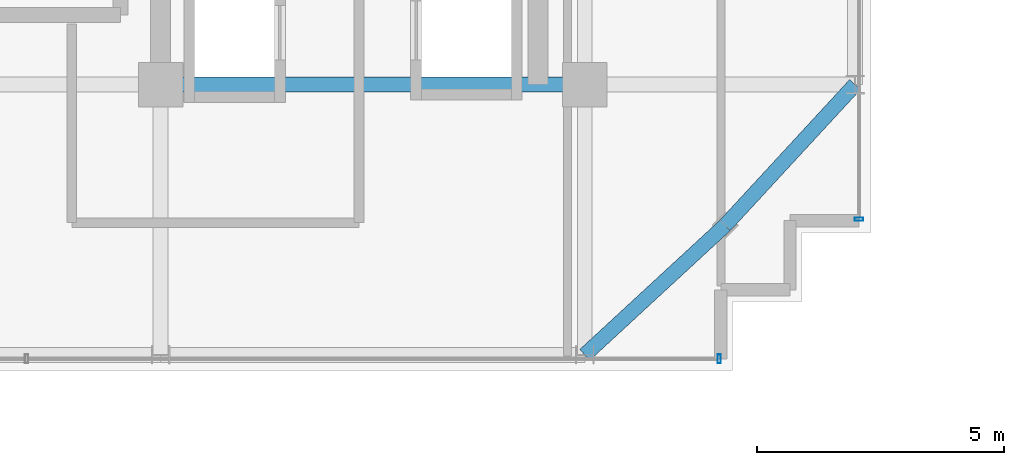
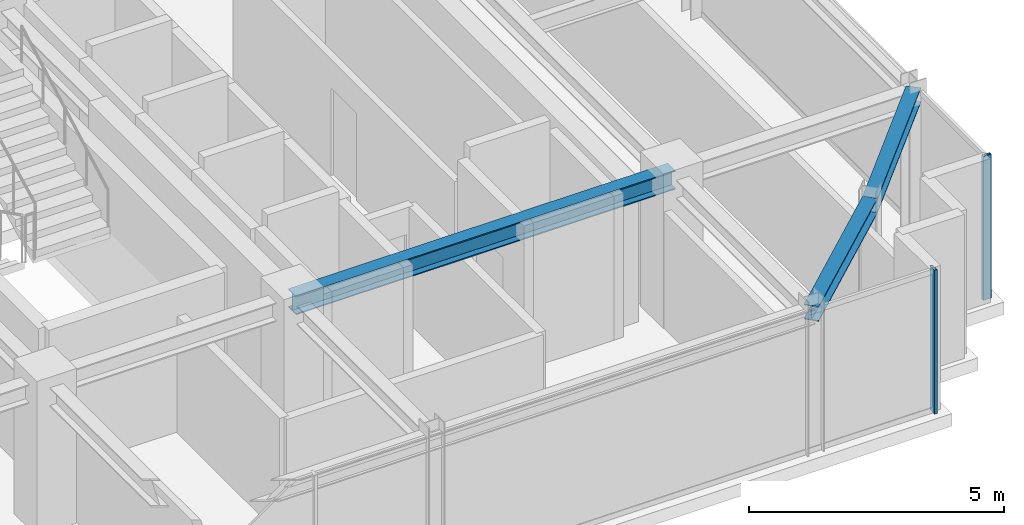
# One storey, part 11 of 32: 3 beams, 2 members, 2 elements without a shape of their own.
"""IFC4 building model written with IfcOpenShell, lengths in metres."""

from ifc_helpers import new_model, si_unit, direction, frame, origin, origin_2d, place, context, subcontext, project, spatial, hollow_rectangle, i_section, extrude, source, transform, mapped, material, material_profile, profile_set, type_object, element, aggregate, save


model = new_model("IFC4")

# Units and contexts
model_context = context("Model", 3, precision=1e-05, world=origin(), true_north=direction((0.0, 1.0)))
body_context = subcontext(model_context, "Body", "Model", "MODEL_VIEW")
ifc_project = project(units=[si_unit("LENGTHUNIT", "METRE"), si_unit("AREAUNIT", "SQUARE_METRE"), si_unit("VOLUMEUNIT", "CUBIC_METRE"), si_unit("PLANEANGLEUNIT", "RADIAN"), si_unit("MASSUNIT", "GRAM", prefix="KILO")], contexts=[model_context])

# Site, building, storey
site_placement = place(None, origin())
site = spatial("IfcSite", under=ifc_project, at=site_placement, CompositionType="ELEMENT")
building_placement = place(site_placement, origin())
building = spatial("IfcBuilding", under=site, at=building_placement, Name="Nahalor Promenade Grand Hotel", CompositionType="ELEMENT")
storey_placement = place(building_placement, frame((0.0, 0.0, 285.050048828125)))
storey = spatial("IfcBuildingStorey", under=building, at=storey_placement, Name="L73", CompositionType="ELEMENT", Elevation=285.050048828125)

# Beams
ifc_material_1 = material(Name="Steel S355JR", Category="steel")
ifc_material_profile_1 = material_profile(ifc_material_1, i_section(OverallWidth=0.3, OverallDepth=0.45, WebThickness=0.014, FlangeThickness=0.026, at=origin_2d()), Name="HEB 450")
ifc_profile_set_1 = profile_set([ifc_material_profile_1], Name="Steel S355JR")
beam_type_1 = type_object("IfcBeamType", Name="Beam-Girder-HEB450", PredefinedType="BEAM", material=ifc_profile_set_1)
shared_shape_1 = source(origin(), body_context, "Body", "SweptSolid", [
    extrude(i_section(OverallWidth=0.3, OverallDepth=0.45, WebThickness=0.014, FlangeThickness=0.026, at=origin_2d()), origin(), (0.0, 0.0, 1.0), 8.60009765625),
])
beam_placement = place(storey_placement, frame((8.39990234375, -17.0, 3.224853515625), z_axis=(1.0, 0.0, 0.0), x_axis=(0.0, 1.0, 0.0)))
element("IfcBeam", 1, at=beam_placement, inside=storey, type_object=beam_type_1, Name="BM-L73-GX-0-5", PredefinedType="BEAM", context=body_context, shape_type="MappedRepresentation", body=[
    mapped(shared_shape_1, transform((0.0, 0.0, 0.0), scale=1.0)),
])
ifc_material_profile_2 = material_profile(ifc_material_1, i_section(OverallWidth=0.3, OverallDepth=0.36, WebThickness=0.0125, FlangeThickness=0.0225, at=origin_2d()), Name="HEB 360")
ifc_profile_set_2 = profile_set([ifc_material_profile_2], Name="Steel S355JR")
beam_type_2 = type_object("IfcBeamType", Name="Beam-Spandrel-HEB360", PredefinedType="SPANDREL", material=ifc_profile_set_2)
shared_shape_2 = source(origin(), body_context, "Body", "SweptSolid", [
    extrude(i_section(OverallWidth=0.3, OverallDepth=0.36, WebThickness=0.0125, FlangeThickness=0.0225, at=origin_2d()), origin(), (0.0, 0.0, 1.0), 3.878173828125),
])
for number, where, z_axis, x_axis, name in (
    (2, (17.0, -22.47998046875, 3.27001953125), (0.73492893846, 0.678144125843, 0.0), (-0.678144125843, 0.73492893846, 0.0), "BM-L73-SPC-SE-1"),
    (3, (19.85009765625, -19.85009765625, 3.27001953125), (0.678144125843, 0.73492893846, 0.0), (-0.73492893846, 0.678144125843, 0.0), "BM-L73-SPC-SE-2"),
):
    element("IfcBeam", number, at=place(storey_placement, frame(where, z_axis=z_axis, x_axis=x_axis)), inside=storey, type_object=beam_type_2, Name=name, PredefinedType="SPANDREL", context=body_context, shape_type="MappedRepresentation", body=[
        mapped(shared_shape_2, transform((0.0, 0.0, 0.0), scale=1.0)),
    ])

# Curtain wall, member
ifc_material_2 = material(Name="Anodised Bronze Aluminium EN AW-6063 T6", Category="aluminium")
curtain_wall_type = type_object("IfcCurtainWallType", Name="CW2 Typical Hotel Flush Bronze Unitised Curtain Wall", PredefinedType="USERDEFINED", material=ifc_material_2)
curtain_wall_1_placement = place(storey_placement, origin())
curtain_wall_1 = element("IfcCurtainWall", 4, at=curtain_wall_1_placement, inside=storey, type_object=curtain_wall_type, Name="L73 Curtain Wall CW-L73-S-3", ObjectType="UNITISED_CURTAIN_WALL", PredefinedType="USERDEFINED")
ifc_material_profile_3 = material_profile(ifc_material_2, hollow_rectangle(XDim=0.065, YDim=0.18, WallThickness=0.004, at=origin_2d()), Name="CWM 65x180x4")
ifc_profile_set_3 = profile_set([ifc_material_profile_3], Name="Anodised Bronze Aluminium EN AW-6063 T6")
member_type = type_object("IfcMemberType", Name="CWM2 Typical Bronze Mullion 65x180", PredefinedType="MULLION", material=ifc_profile_set_3)
shared_shape_3 = source(origin(), body_context, "Body", "SweptSolid", [
    extrude(hollow_rectangle(XDim=0.065, YDim=0.18, WallThickness=0.004, at=origin_2d()), origin(), (0.0, 0.0, 1.0), 3.449951171875),
])
member_1_placement = place(storey_placement, frame((19.7275390625, -22.56005859375, 0.0), z_axis=(0.0, 0.0, 1.0), x_axis=(1.0, 0.0, 0.0)))
member_1 = element("IfcMember", 5, at=member_1_placement, type_object=member_type, Name="CW-L73-S-3 Mullion 2", PredefinedType="MULLION", context=body_context, shape_type="MappedRepresentation", body=[
    mapped(shared_shape_3, transform((0.0, 0.0, 0.0), scale=1.0)),
])
aggregate(curtain_wall_1, [member_1])

curtain_wall_2_placement = place(storey_placement, origin())
curtain_wall_2 = element("IfcCurtainWall", 6, at=curtain_wall_2_placement, inside=storey, type_object=curtain_wall_type, Name="L73 Curtain Wall CW-L73-E-1", ObjectType="UNITISED_CURTAIN_WALL", PredefinedType="USERDEFINED")
member_2_placement = place(storey_placement, frame((22.56005859375, -19.7275390625, 0.0), z_axis=(0.0, 0.0, 1.0), x_axis=(0.0, 1.0, 0.0)))
member_2 = element("IfcMember", 7, at=member_2_placement, type_object=member_type, Name="CW-L73-E-1 Mullion 0", PredefinedType="MULLION", context=body_context, shape_type="MappedRepresentation", body=[
    mapped(shared_shape_3, transform((0.0, 0.0, 0.0), scale=1.0)),
])
aggregate(curtain_wall_2, [member_2])

save(model, "model.ifc")
